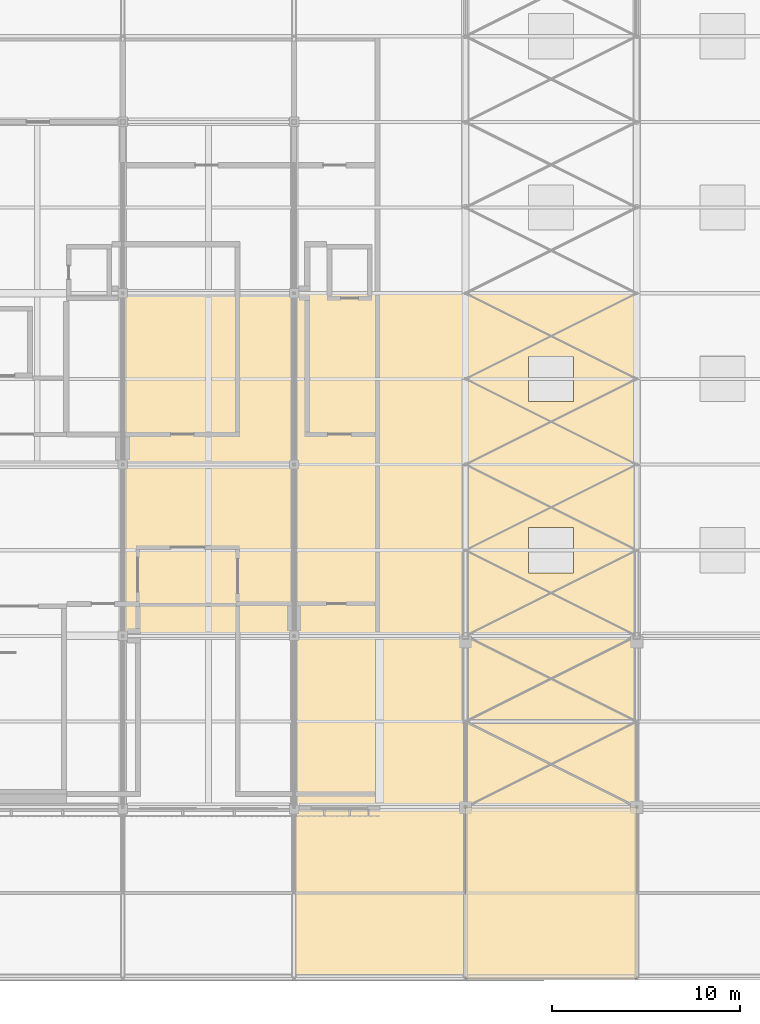
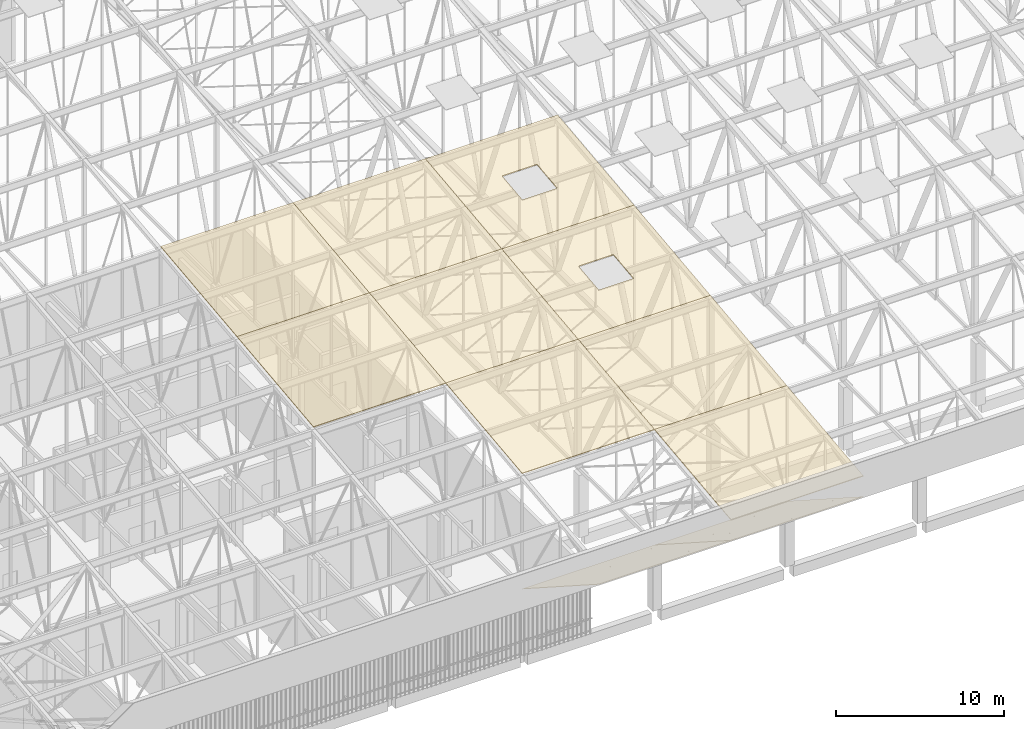
# One storey, part 461 of 500: 11 coverings.
"""IFC4 building model written with IfcOpenShell, lengths in metres."""

from ifc_helpers import new_model, si_unit, direction, frame, origin, place, context, subcontext, project, spatial, polyline, outline, extrude, material, layer, layer_set, type_object, element, save


model = new_model("IFC4")

# Units and contexts
model_context = context("Model", 3, precision=1e-05, world=origin(), true_north=direction((0.0, 1.0)))
body_context = subcontext(model_context, "Body", "Model", "MODEL_VIEW")
ifc_project = project(units=[si_unit("LENGTHUNIT", "METRE"), si_unit("AREAUNIT", "SQUARE_METRE"), si_unit("VOLUMEUNIT", "CUBIC_METRE"), si_unit("PLANEANGLEUNIT", "RADIAN"), si_unit("MASSUNIT", "GRAM", prefix="KILO")], contexts=[model_context])

# Site, building, storey
site_placement = place(None, origin())
site = spatial("IfcSite", under=ifc_project, at=site_placement, CompositionType="ELEMENT")
building_placement = place(site_placement, origin())
building = spatial("IfcBuilding", under=site, at=building_placement, Name="Shirokan Park Arena", CompositionType="ELEMENT")
storey_placement = place(building_placement, frame((0.0, 0.0, 29.1201171875)))
storey = spatial("IfcBuildingStorey", under=building, at=storey_placement, Name="L06", CompositionType="ELEMENT", Elevation=29.1201171875)

# Coverings
ifc_material_1 = material(Name="Bituminous roofing membrane")
ifc_layer_1 = layer(ifc_material_1, 0.010009765625, Name="Bituminous roofing membrane")
ifc_material_2 = material(Name="Mineral wool insulation")
ifc_layer_2 = layer(ifc_material_2, 0.050048828125, Name="Mineral wool insulation")
ifc_layer_set_1 = layer_set([ifc_layer_1, ifc_layer_2], Name="Bituminous roofing membrane + Mineral wool insulation")
covering_type_1 = type_object("IfcCoveringType", Name="Roofing membrane 60", PredefinedType="ROOFING", material=ifc_layer_set_1)
covering_1_placement = place(storey_placement, frame((27.300048828125, 9.10009765625, 13.970703125), z_axis=(0.0, -0.113552605302, 0.993531985308), x_axis=(1.0, 0.0, 0.0)))
element("IfcCovering", 1, at=covering_1_placement, inside=storey, type_object=covering_type_1, Name="Roofing", PredefinedType="ROOFING", context=body_context, shape_type="SweptSolid", body=[
    extrude(outline(polyline([(0.0, 0.0), (9.099853515625, 0.0), (9.099853515625, 9.159094674549365), (0.0, 9.159094674549365), (0.0, 0.0)])), origin(), (0.0, 0.0, -1.0), 0.06005859375),
])
covering_2_placement = place(storey_placement, frame((27.300048828125, 18.199951171875, 15.0107421875), z_axis=(0.0, -0.113549598152, 0.993532328996), x_axis=(1.0, 0.0, 0.0)))
element("IfcCovering", 2, at=covering_2_placement, inside=storey, type_object=covering_type_1, Name="Roofing", PredefinedType="ROOFING", context=body_context, shape_type="SweptSolid", body=[
    extrude(outline(polyline([(0.0, 0.0), (9.099853515625, 0.0), (9.099853515625, 9.15933723611117), (0.0, 9.15933723611117), (0.0, 0.0)])), origin(), (0.0, 0.0, -1.0), 0.06005859375),
])
covering_3_placement = place(storey_placement, frame((36.39990234375, 0.0, 12.9306640625), z_axis=(0.0, -0.113549598152, 0.993532328996), x_axis=(1.0, 0.0, 0.0)))
element("IfcCovering", 3, at=covering_3_placement, inside=storey, type_object=covering_type_1, Name="Roofing", PredefinedType="ROOFING", context=body_context, shape_type="SweptSolid", body=[
    extrude(outline(polyline([(0.0, 0.0), (9.10009765625, 0.0), (9.10009765625, 9.15933723611117), (0.0, 9.15933723611117), (0.0, 0.0)])), origin(), (0.0, 0.0, -1.0), 0.06005859375),
])
covering_4_placement = place(storey_placement, frame((36.39990234375, 9.10009765625, 13.970703125), z_axis=(0.0, -0.113552605302, 0.993531985308), x_axis=(1.0, 0.0, 0.0)))
element("IfcCovering", 4, at=covering_4_placement, inside=storey, type_object=covering_type_1, Name="Roofing", PredefinedType="ROOFING", context=body_context, shape_type="SweptSolid", body=[
    extrude(outline(polyline([(0.0, 0.0), (9.10009765625, 0.0), (9.10009765625, 9.159094674549367), (0.0, 9.159094674549367), (0.0, 0.0)])), origin(), (0.0, 0.0, -1.0), 0.06005859375),
])
for number, where, z_axis, x_axis, name in (
    (5, (36.39990234375, 18.199951171875, 15.0107421875), (0.0, -0.113549598152, 0.993532328996), (1.0, 0.0, 0.0), "Roofing"),
    (6, (45.5, -9.10009765625, 11.890625), (0.0, -0.113549598152, 0.993532328996), (1.0, 0.0, 0.0), "Roofing"),
    (7, (45.5, 0.0, 12.9306640625), (0.0, -0.113549598152, 0.993532328996), (1.0, 0.0, 0.0), "Roofing"),
):
    element("IfcCovering", number, at=place(storey_placement, frame(where, z_axis=z_axis, x_axis=x_axis)), inside=storey, type_object=covering_type_1, Name=name, PredefinedType="ROOFING", context=body_context, shape_type="SweptSolid", body=[
        extrude(outline(polyline([(0.0, 0.0), (9.10009765625, 0.0), (9.10009765625, 9.15933723611117), (0.0, 9.15933723611117), (0.0, 0.0)])), origin(), (0.0, 0.0, -1.0), 0.06005859375),
    ])
covering_5_placement = place(storey_placement, frame((45.5, 9.10009765625, 13.970703125), z_axis=(0.0, -0.113552605302, 0.993531985308), x_axis=(1.0, 0.0, 0.0)))
element("IfcCovering", 8, at=covering_5_placement, inside=storey, type_object=covering_type_1, Name="Roofing", PredefinedType="ROOFING", context=body_context, shape_type="SweptSolid", body=[
    extrude(outline(polyline([(0.0, 0.0), (9.10009765625, 0.0), (9.10009765625, 9.159094674549367), (0.0, 9.159094674549367), (0.0, 0.0)]), holes=[polyline([(5.75, 3.3716559705854974), (5.75, 5.78741098115984), (3.35009765625, 5.78741098115984), (3.35009765625, 3.3716559705854974), (5.75, 3.3716559705854974)])]), origin(), (0.0, 0.0, -1.0), 0.06005859375),
])
covering_6_placement = place(storey_placement, frame((45.5, 18.199951171875, 15.0107421875), z_axis=(0.0, -0.113549598152, 0.993532328996), x_axis=(1.0, 0.0, 0.0)))
element("IfcCovering", 9, at=covering_6_placement, inside=storey, type_object=covering_type_1, Name="Roofing", PredefinedType="ROOFING", context=body_context, shape_type="SweptSolid", body=[
    extrude(outline(polyline([(0.0, 0.0), (9.10009765625, 0.0), (9.10009765625, 9.15933723611117), (0.0, 9.15933723611117), (0.0, 0.0)]), holes=[polyline([(5.75, 3.3718985323194914), (5.75, 5.787410981721819), (3.35009765625, 5.787410981721819), (3.35009765625, 3.3718985323194914), (5.75, 3.3718985323194914)])]), origin(), (0.0, 0.0, -1.0), 0.06005859375),
])
ifc_material_3 = material(Name="Timber soffit boards (cedar)", Category="wood")
ifc_layer_3 = layer(ifc_material_3, 0.030029296875)
ifc_layer_set_2 = layer_set([ifc_layer_3], Name="Timber soffit boards (cedar) 30 mm")
covering_type_2 = type_object("IfcCoveringType", Name="Timber boarded soffit panel", PredefinedType="CLADDING", material=ifc_layer_set_2)
covering_7_placement = place(storey_placement, origin())
element("IfcCovering", 10, at=covering_7_placement, inside=storey, type_object=covering_type_2, Name="Eave soffit south bay 5", PredefinedType="CLADDING", context=body_context, shape_type="SweptSolid", body=[
    extrude(outline(polyline([(0.0, 0.0), (0.14269332184794056, 0.0), (0.14269332184794056, -9.100000000000003), (0.0, -9.100000000000003), (0.0, 0.0)])), frame((45.5, -8.97998046875, 10.3037109375), z_axis=(0.0, 0.541090493936, 0.840964373427), x_axis=(0.0, -0.840964373427, 0.541090493936)), (0.0, 0.0, -1.0), 0.030029296875),
    extrude(outline(polyline([(0.0, 0.0), (0.1426933218479412, 0.0), (0.1426933218479412, -9.100000000000001), (0.0, -9.100000000000001), (0.0, 0.0)])), frame((36.39990234375, -0.1201171875, 4.60302734375), z_axis=(0.0, 0.541090493936, 0.840964373427), x_axis=(0.0, 0.840964373427, -0.541090493936)), (0.0, 0.0, -1.0), 0.030029296875),
    extrude(outline(polyline([(0.0, 0.0), (0.11999999999999744, 0.0), (0.11999999999999744, -10.535473996759706), (0.0, -10.535473996759706), (0.0, 0.0)])), frame((45.5, -8.97998046875, 10.3037109375), z_axis=(0.0, 0.541084340558, 0.84096833258), x_axis=(-1.0, 0.0, 0.0)), (0.0, 0.0, -1.0), 0.030029296875),
    extrude(outline(polyline([(0.0, 0.0), (0.12000000000000455, 0.0), (0.12000000000000455, -10.535473996759707), (0.0, -10.535473996759707), (0.0, 0.0)])), frame((36.39990234375, -0.1201171875, 4.60302734375), z_axis=(0.0, 0.541084340558, 0.84096833258), x_axis=(1.0, 0.0, 0.0)), (0.0, 0.0, -1.0), 0.030029296875),
    extrude(outline(polyline([(0.0, 0.0), (10.535473996759707, 0.0), (10.535473996759707, -0.183329999999998), (0.0, -0.183329999999998), (0.0, 0.0)])), frame((36.52001953125, -8.97998046875, 10.3037109375), z_axis=(0.0, 0.541084340558, 0.84096833258), x_axis=(0.0, 0.84096833258, -0.541084340558)), (0.0, 0.0, -1.0), 0.030029296875),
    extrude(outline(polyline([(0.0, 0.0), (10.535473996759707, 0.0), (10.535473996759707, -0.3033399999999986), (0.0, -0.3033399999999986), (0.0, 0.0)])), frame((36.703369140625, -8.97998046875, 10.3037109375), z_axis=(0.0, 0.541084340558, 0.84096833258), x_axis=(0.0, 0.84096833258, -0.541084340558)), (0.0, 0.0, -1.0), 0.030029296875),
    extrude(outline(polyline([(0.0, 0.0), (10.535473996759707, 0.0), (10.535473996759707, -0.30333000000000254), (0.0, -0.30333000000000254), (0.0, 0.0)])), frame((37.006591796875, -8.97998046875, 10.3037109375), z_axis=(0.0, 0.541084340558, 0.84096833258), x_axis=(0.0, 0.84096833258, -0.541084340558)), (0.0, 0.0, -1.0), 0.030029296875),
    extrude(outline(polyline([(0.0, 0.0), (10.535473996759707, 0.0), (10.535473996759707, -0.30332999999999544), (0.0, -0.30332999999999544), (0.0, 0.0)])), frame((37.31005859375, -8.97998046875, 10.3037109375), z_axis=(0.0, 0.541084340558, 0.84096833258), x_axis=(0.0, 0.84096833258, -0.541084340558)), (0.0, 0.0, -1.0), 0.030029296875),
    extrude(outline(polyline([(0.0, 0.0), (10.535473996759707, 0.0), (10.535473996759707, -0.3033400000000057), (0.0, -0.3033400000000057), (0.0, 0.0)])), frame((37.61328125, -8.97998046875, 10.3037109375), z_axis=(0.0, 0.541084340558, 0.84096833258), x_axis=(0.0, 0.84096833258, -0.541084340558)), (0.0, 0.0, -1.0), 0.030029296875),
    extrude(outline(polyline([(0.0, 0.0), (10.535473996759707, 0.0), (10.535473996759707, -0.30332999999999544), (0.0, -0.30332999999999544), (0.0, 0.0)])), frame((37.916748046875, -8.97998046875, 10.3037109375), z_axis=(0.0, 0.541084340558, 0.84096833258), x_axis=(0.0, 0.84096833258, -0.541084340558)), (0.0, 0.0, -1.0), 0.030029296875),
    extrude(outline(polyline([(0.0, 0.0), (10.535473996759707, 0.0), (10.535473996759707, -0.30333000000000254), (0.0, -0.30333000000000254), (0.0, 0.0)])), frame((38.219970703125, -8.97998046875, 10.3037109375), z_axis=(0.0, 0.541084340558, 0.84096833258), x_axis=(0.0, 0.84096833258, -0.541084340558)), (0.0, 0.0, -1.0), 0.030029296875),
    extrude(outline(polyline([(0.0, 0.0), (10.535473996759707, 0.0), (10.535473996759707, -0.3033399999999986), (0.0, -0.3033399999999986), (0.0, 0.0)])), frame((38.5234375, -8.97998046875, 10.3037109375), z_axis=(0.0, 0.541084340558, 0.84096833258), x_axis=(0.0, 0.84096833258, -0.541084340558)), (0.0, 0.0, -1.0), 0.030029296875),
    extrude(outline(polyline([(0.0, 0.0), (10.535473996759707, 0.0), (10.535473996759707, -0.30333000000000254), (0.0, -0.30333000000000254), (0.0, 0.0)])), frame((38.82666015625, -8.97998046875, 10.3037109375), z_axis=(0.0, 0.541084340558, 0.84096833258), x_axis=(0.0, 0.84096833258, -0.541084340558)), (0.0, 0.0, -1.0), 0.030029296875),
    extrude(outline(polyline([(0.0, 0.0), (10.535473996759707, 0.0), (10.535473996759707, -0.30332999999999544), (0.0, -0.30332999999999544), (0.0, 0.0)])), frame((39.1298828125, -8.97998046875, 10.3037109375), z_axis=(0.0, 0.541084340558, 0.84096833258), x_axis=(0.0, 0.84096833258, -0.541084340558)), (0.0, 0.0, -1.0), 0.030029296875),
    extrude(outline(polyline([(0.0, 0.0), (10.535473996759707, 0.0), (10.535473996759707, -0.3033399999999986), (0.0, -0.3033399999999986), (0.0, 0.0)])), frame((39.433349609375, -8.97998046875, 10.3037109375), z_axis=(0.0, 0.541084340558, 0.84096833258), x_axis=(0.0, 0.84096833258, -0.541084340558)), (0.0, 0.0, -1.0), 0.030029296875),
    extrude(outline(polyline([(0.0, 0.0), (10.535473996759707, 0.0), (10.535473996759707, -0.30333000000000254), (0.0, -0.30333000000000254), (0.0, 0.0)])), frame((39.736572265625, -8.97998046875, 10.3037109375), z_axis=(0.0, 0.541084340558, 0.84096833258), x_axis=(0.0, 0.84096833258, -0.541084340558)), (0.0, 0.0, -1.0), 0.030029296875),
    extrude(outline(polyline([(0.0, 0.0), (10.535473996759707, 0.0), (10.535473996759707, -0.30333000000000254), (0.0, -0.30333000000000254), (0.0, 0.0)])), frame((40.0400390625, -8.97998046875, 10.3037109375), z_axis=(0.0, 0.541084340558, 0.84096833258), x_axis=(0.0, 0.84096833258, -0.541084340558)), (0.0, 0.0, -1.0), 0.030029296875),
    extrude(outline(polyline([(0.0, 0.0), (10.535473996759707, 0.0), (10.535473996759707, -0.3033399999999986), (0.0, -0.3033399999999986), (0.0, 0.0)])), frame((40.34326171875, -8.97998046875, 10.3037109375), z_axis=(0.0, 0.541084340558, 0.84096833258), x_axis=(0.0, 0.84096833258, -0.541084340558)), (0.0, 0.0, -1.0), 0.030029296875),
    extrude(outline(polyline([(0.0, 0.0), (10.535473996759707, 0.0), (10.535473996759707, -0.30333000000000254), (0.0, -0.30333000000000254), (0.0, 0.0)])), frame((40.646728515625, -8.97998046875, 10.3037109375), z_axis=(0.0, 0.541084340558, 0.84096833258), x_axis=(0.0, 0.84096833258, -0.541084340558)), (0.0, 0.0, -1.0), 0.030029296875),
    extrude(outline(polyline([(0.0, 0.0), (10.535473996759707, 0.0), (10.535473996759707, -0.30332999999999544), (0.0, -0.30332999999999544), (0.0, 0.0)])), frame((40.949951171875, -8.97998046875, 10.3037109375), z_axis=(0.0, 0.541084340558, 0.84096833258), x_axis=(0.0, 0.84096833258, -0.541084340558)), (0.0, 0.0, -1.0), 0.030029296875),
    extrude(outline(polyline([(0.0, 0.0), (10.535473996759707, 0.0), (10.535473996759707, -0.3033399999999986), (0.0, -0.3033399999999986), (0.0, 0.0)])), frame((41.25341796875, -8.97998046875, 10.3037109375), z_axis=(0.0, 0.541084340558, 0.84096833258), x_axis=(0.0, 0.84096833258, -0.541084340558)), (0.0, 0.0, -1.0), 0.030029296875),
    extrude(outline(polyline([(0.0, 0.0), (10.535473996759707, 0.0), (10.535473996759707, -0.30333000000000254), (0.0, -0.30333000000000254), (0.0, 0.0)])), frame((41.556640625, -8.97998046875, 10.3037109375), z_axis=(0.0, 0.541084340558, 0.84096833258), x_axis=(0.0, 0.84096833258, -0.541084340558)), (0.0, 0.0, -1.0), 0.030029296875),
    extrude(outline(polyline([(0.0, 0.0), (10.535473996759707, 0.0), (10.535473996759707, -0.30333000000000254), (0.0, -0.30333000000000254), (0.0, 0.0)])), frame((41.860107421875, -8.97998046875, 10.3037109375), z_axis=(0.0, 0.541084340558, 0.84096833258), x_axis=(0.0, 0.84096833258, -0.541084340558)), (0.0, 0.0, -1.0), 0.030029296875),
    extrude(outline(polyline([(0.0, 0.0), (10.535473996759707, 0.0), (10.535473996759707, -0.3033399999999986), (0.0, -0.3033399999999986), (0.0, 0.0)])), frame((42.163330078125, -8.97998046875, 10.3037109375), z_axis=(0.0, 0.541084340558, 0.84096833258), x_axis=(0.0, 0.84096833258, -0.541084340558)), (0.0, 0.0, -1.0), 0.030029296875),
    extrude(outline(polyline([(0.0, 0.0), (10.535473996759707, 0.0), (10.535473996759707, -0.30333000000000254), (0.0, -0.30333000000000254), (0.0, 0.0)])), frame((42.466552734375, -8.97998046875, 10.3037109375), z_axis=(0.0, 0.541084340558, 0.84096833258), x_axis=(0.0, 0.84096833258, -0.541084340558)), (0.0, 0.0, -1.0), 0.030029296875),
    extrude(outline(polyline([(0.0, 0.0), (10.535473996759707, 0.0), (10.535473996759707, -0.30332999999999544), (0.0, -0.30332999999999544), (0.0, 0.0)])), frame((42.77001953125, -8.97998046875, 10.3037109375), z_axis=(0.0, 0.541084340558, 0.84096833258), x_axis=(0.0, 0.84096833258, -0.541084340558)), (0.0, 0.0, -1.0), 0.030029296875),
    extrude(outline(polyline([(0.0, 0.0), (10.535473996759707, 0.0), (10.535473996759707, -0.3033399999999986), (0.0, -0.3033399999999986), (0.0, 0.0)])), frame((43.0732421875, -8.97998046875, 10.3037109375), z_axis=(0.0, 0.541084340558, 0.84096833258), x_axis=(0.0, 0.84096833258, -0.541084340558)), (0.0, 0.0, -1.0), 0.030029296875),
    extrude(outline(polyline([(0.0, 0.0), (10.535473996759707, 0.0), (10.535473996759707, -0.30333000000000254), (0.0, -0.30333000000000254), (0.0, 0.0)])), frame((43.376708984375, -8.97998046875, 10.3037109375), z_axis=(0.0, 0.541084340558, 0.84096833258), x_axis=(0.0, 0.84096833258, -0.541084340558)), (0.0, 0.0, -1.0), 0.030029296875),
    extrude(outline(polyline([(0.0, 0.0), (10.535473996759707, 0.0), (10.535473996759707, -0.30333000000000254), (0.0, -0.30333000000000254), (0.0, 0.0)])), frame((43.679931640625, -8.97998046875, 10.3037109375), z_axis=(0.0, 0.541084340558, 0.84096833258), x_axis=(0.0, 0.84096833258, -0.541084340558)), (0.0, 0.0, -1.0), 0.030029296875),
    extrude(outline(polyline([(0.0, 0.0), (10.535473996759707, 0.0), (10.535473996759707, -0.3033399999999986), (0.0, -0.3033399999999986), (0.0, 0.0)])), frame((43.9833984375, -8.97998046875, 10.3037109375), z_axis=(0.0, 0.541084340558, 0.84096833258), x_axis=(0.0, 0.84096833258, -0.541084340558)), (0.0, 0.0, -1.0), 0.030029296875),
    extrude(outline(polyline([(0.0, 0.0), (10.535473996759707, 0.0), (10.535473996759707, -0.30333000000000254), (0.0, -0.30333000000000254), (0.0, 0.0)])), frame((44.28662109375, -8.97998046875, 10.3037109375), z_axis=(0.0, 0.541084340558, 0.84096833258), x_axis=(0.0, 0.84096833258, -0.541084340558)), (0.0, 0.0, -1.0), 0.030029296875),
    extrude(outline(polyline([(0.0, 0.0), (10.535473996759707, 0.0), (10.535473996759707, -0.30332999999999544), (0.0, -0.30332999999999544), (0.0, 0.0)])), frame((44.590087890625, -8.97998046875, 10.3037109375), z_axis=(0.0, 0.541084340558, 0.84096833258), x_axis=(0.0, 0.84096833258, -0.541084340558)), (0.0, 0.0, -1.0), 0.030029296875),
    extrude(outline(polyline([(0.0, 0.0), (10.535473996759707, 0.0), (10.535473996759707, -0.3033399999999986), (0.0, -0.3033399999999986), (0.0, 0.0)])), frame((44.893310546875, -8.97998046875, 10.3037109375), z_axis=(0.0, 0.541084340558, 0.84096833258), x_axis=(0.0, 0.84096833258, -0.541084340558)), (0.0, 0.0, -1.0), 0.030029296875),
    extrude(outline(polyline([(0.0, 0.0), (0.1833300000000051, 0.0), (0.1833300000000051, -10.535473996759709), (0.0, -10.535473996759709), (0.0, 0.0)])), frame((45.3798828125, -8.97998046875, 10.3037109375), z_axis=(0.0, 0.541084340558, 0.84096833258), x_axis=(-1.0, 0.0, 0.0)), (0.0, 0.0, -1.0), 0.030029296875),
])
covering_8_placement = place(storey_placement, origin())
element("IfcCovering", 11, at=covering_8_placement, inside=storey, type_object=covering_type_2, Name="Eave soffit south bay 6", PredefinedType="CLADDING", context=body_context, shape_type="SweptSolid", body=[
    extrude(outline(polyline([(0.0, 0.0), (0.14269332184794056, 0.0), (0.14269332184794056, -9.100000000000003), (0.0, -9.100000000000003), (0.0, 0.0)])), frame((54.60009765625, -8.97998046875, 10.3037109375), z_axis=(0.0, 0.541090493936, 0.840964373427), x_axis=(0.0, -0.840964373427, 0.541090493936)), (0.0, 0.0, -1.0), 0.030029296875),
    extrude(outline(polyline([(0.0, 0.0), (0.1426933218479412, 0.0), (0.1426933218479412, -9.100000000000001), (0.0, -9.100000000000001), (0.0, 0.0)])), frame((45.5, -0.1201171875, 4.60302734375), z_axis=(0.0, 0.541090493936, 0.840964373427), x_axis=(0.0, 0.840964373427, -0.541090493936)), (0.0, 0.0, -1.0), 0.030029296875),
    extrude(outline(polyline([(0.0, 0.0), (0.12000000000000455, 0.0), (0.12000000000000455, -10.535473996759707), (0.0, -10.535473996759707), (0.0, 0.0)])), frame((54.60009765625, -8.97998046875, 10.3037109375), z_axis=(0.0, 0.541084340558, 0.84096833258), x_axis=(-1.0, 0.0, 0.0)), (0.0, 0.0, -1.0), 0.030029296875),
    extrude(outline(polyline([(0.0, 0.0), (0.11999999999999744, 0.0), (0.11999999999999744, -10.535473996759706), (0.0, -10.535473996759706), (0.0, 0.0)])), frame((45.5, -0.1201171875, 4.60302734375), z_axis=(0.0, 0.541084340558, 0.84096833258), x_axis=(1.0, 0.0, 0.0)), (0.0, 0.0, -1.0), 0.030029296875),
    extrude(outline(polyline([(0.0, 0.0), (10.535473996759707, 0.0), (10.535473996759707, -0.1833300000000051), (0.0, -0.1833300000000051), (0.0, 0.0)])), frame((45.6201171875, -8.97998046875, 10.3037109375), z_axis=(0.0, 0.541084340558, 0.84096833258), x_axis=(0.0, 0.84096833258, -0.541084340558)), (0.0, 0.0, -1.0), 0.030029296875),
    extrude(outline(polyline([(0.0, 0.0), (10.535473996759707, 0.0), (10.535473996759707, -0.3033399999999986), (0.0, -0.3033399999999986), (0.0, 0.0)])), frame((45.80322265625, -8.97998046875, 10.3037109375), z_axis=(0.0, 0.541084340558, 0.84096833258), x_axis=(0.0, 0.84096833258, -0.541084340558)), (0.0, 0.0, -1.0), 0.030029296875),
    extrude(outline(polyline([(0.0, 0.0), (10.535473996759707, 0.0), (10.535473996759707, -0.30332999999999544), (0.0, -0.30332999999999544), (0.0, 0.0)])), frame((46.106689453125, -8.97998046875, 10.3037109375), z_axis=(0.0, 0.541084340558, 0.84096833258), x_axis=(0.0, 0.84096833258, -0.541084340558)), (0.0, 0.0, -1.0), 0.030029296875),
    extrude(outline(polyline([(0.0, 0.0), (10.535473996759707, 0.0), (10.535473996759707, -0.30333000000000254), (0.0, -0.30333000000000254), (0.0, 0.0)])), frame((46.409912109375, -8.97998046875, 10.3037109375), z_axis=(0.0, 0.541084340558, 0.84096833258), x_axis=(0.0, 0.84096833258, -0.541084340558)), (0.0, 0.0, -1.0), 0.030029296875),
    extrude(outline(polyline([(0.0, 0.0), (10.535473996759707, 0.0), (10.535473996759707, -0.3033399999999986), (0.0, -0.3033399999999986), (0.0, 0.0)])), frame((46.71337890625, -8.97998046875, 10.3037109375), z_axis=(0.0, 0.541084340558, 0.84096833258), x_axis=(0.0, 0.84096833258, -0.541084340558)), (0.0, 0.0, -1.0), 0.030029296875),
    extrude(outline(polyline([(0.0, 0.0), (10.535473996759707, 0.0), (10.535473996759707, -0.30333000000000254), (0.0, -0.30333000000000254), (0.0, 0.0)])), frame((47.0166015625, -8.97998046875, 10.3037109375), z_axis=(0.0, 0.541084340558, 0.84096833258), x_axis=(0.0, 0.84096833258, -0.541084340558)), (0.0, 0.0, -1.0), 0.030029296875),
    extrude(outline(polyline([(0.0, 0.0), (10.535473996759709, 0.0), (10.535473996759709, -0.30333000000000254), (0.0, -0.30333000000000254), (0.0, 0.0)])), frame((47.320068359375, -8.97998046875, 10.3037109375), z_axis=(0.0, 0.541084340558, 0.84096833258), x_axis=(0.0, 0.84096833258, -0.541084340558)), (0.0, 0.0, -1.0), 0.030029296875),
    extrude(outline(polyline([(0.0, 0.0), (10.535473996759707, 0.0), (10.535473996759707, -0.3033399999999986), (0.0, -0.3033399999999986), (0.0, 0.0)])), frame((47.623291015625, -8.97998046875, 10.3037109375), z_axis=(0.0, 0.541084340558, 0.84096833258), x_axis=(0.0, 0.84096833258, -0.541084340558)), (0.0, 0.0, -1.0), 0.030029296875),
    extrude(outline(polyline([(0.0, 0.0), (10.535473996759707, 0.0), (10.535473996759707, -0.30332999999999544), (0.0, -0.30332999999999544), (0.0, 0.0)])), frame((47.9267578125, -8.97998046875, 10.3037109375), z_axis=(0.0, 0.541084340558, 0.84096833258), x_axis=(0.0, 0.84096833258, -0.541084340558)), (0.0, 0.0, -1.0), 0.030029296875),
    extrude(outline(polyline([(0.0, 0.0), (10.535473996759707, 0.0), (10.535473996759707, -0.30333000000000254), (0.0, -0.30333000000000254), (0.0, 0.0)])), frame((48.22998046875, -8.97998046875, 10.3037109375), z_axis=(0.0, 0.541084340558, 0.84096833258), x_axis=(0.0, 0.84096833258, -0.541084340558)), (0.0, 0.0, -1.0), 0.030029296875),
    extrude(outline(polyline([(0.0, 0.0), (10.535473996759707, 0.0), (10.535473996759707, -0.3033399999999986), (0.0, -0.3033399999999986), (0.0, 0.0)])), frame((48.533447265625, -8.97998046875, 10.3037109375), z_axis=(0.0, 0.541084340558, 0.84096833258), x_axis=(0.0, 0.84096833258, -0.541084340558)), (0.0, 0.0, -1.0), 0.030029296875),
    extrude(outline(polyline([(0.0, 0.0), (10.535473996759707, 0.0), (10.535473996759707, -0.30333000000000254), (0.0, -0.30333000000000254), (0.0, 0.0)])), frame((48.836669921875, -8.97998046875, 10.3037109375), z_axis=(0.0, 0.541084340558, 0.84096833258), x_axis=(0.0, 0.84096833258, -0.541084340558)), (0.0, 0.0, -1.0), 0.030029296875),
    extrude(outline(polyline([(0.0, 0.0), (10.535473996759709, 0.0), (10.535473996759709, -0.30333000000000254), (0.0, -0.30333000000000254), (0.0, 0.0)])), frame((49.139892578125, -8.97998046875, 10.3037109375), z_axis=(0.0, 0.541084340558, 0.84096833258), x_axis=(0.0, 0.84096833258, -0.541084340558)), (0.0, 0.0, -1.0), 0.030029296875),
    extrude(outline(polyline([(0.0, 0.0), (10.535473996759707, 0.0), (10.535473996759707, -0.3033399999999986), (0.0, -0.3033399999999986), (0.0, 0.0)])), frame((49.443359375, -8.97998046875, 10.3037109375), z_axis=(0.0, 0.541084340558, 0.84096833258), x_axis=(0.0, 0.84096833258, -0.541084340558)), (0.0, 0.0, -1.0), 0.030029296875),
    extrude(outline(polyline([(0.0, 0.0), (10.535473996759707, 0.0), (10.535473996759707, -0.30332999999999544), (0.0, -0.30332999999999544), (0.0, 0.0)])), frame((49.74658203125, -8.97998046875, 10.3037109375), z_axis=(0.0, 0.541084340558, 0.84096833258), x_axis=(0.0, 0.84096833258, -0.541084340558)), (0.0, 0.0, -1.0), 0.030029296875),
    extrude(outline(polyline([(0.0, 0.0), (10.535473996759707, 0.0), (10.535473996759707, -0.30333000000000254), (0.0, -0.30333000000000254), (0.0, 0.0)])), frame((50.050048828125, -8.97998046875, 10.3037109375), z_axis=(0.0, 0.541084340558, 0.84096833258), x_axis=(0.0, 0.84096833258, -0.541084340558)), (0.0, 0.0, -1.0), 0.030029296875),
    extrude(outline(polyline([(0.0, 0.0), (10.535473996759707, 0.0), (10.535473996759707, -0.3033399999999986), (0.0, -0.3033399999999986), (0.0, 0.0)])), frame((50.353271484375, -8.97998046875, 10.3037109375), z_axis=(0.0, 0.541084340558, 0.84096833258), x_axis=(0.0, 0.84096833258, -0.541084340558)), (0.0, 0.0, -1.0), 0.030029296875),
    extrude(outline(polyline([(0.0, 0.0), (10.535473996759707, 0.0), (10.535473996759707, -0.30333000000000254), (0.0, -0.30333000000000254), (0.0, 0.0)])), frame((50.65673828125, -8.97998046875, 10.3037109375), z_axis=(0.0, 0.541084340558, 0.84096833258), x_axis=(0.0, 0.84096833258, -0.541084340558)), (0.0, 0.0, -1.0), 0.030029296875),
    extrude(outline(polyline([(0.0, 0.0), (10.535473996759709, 0.0), (10.535473996759709, -0.30333000000000254), (0.0, -0.30333000000000254), (0.0, 0.0)])), frame((50.9599609375, -8.97998046875, 10.3037109375), z_axis=(0.0, 0.541084340558, 0.84096833258), x_axis=(0.0, 0.84096833258, -0.541084340558)), (0.0, 0.0, -1.0), 0.030029296875),
    extrude(outline(polyline([(0.0, 0.0), (10.535473996759707, 0.0), (10.535473996759707, -0.3033399999999986), (0.0, -0.3033399999999986), (0.0, 0.0)])), frame((51.263427734375, -8.97998046875, 10.3037109375), z_axis=(0.0, 0.541084340558, 0.84096833258), x_axis=(0.0, 0.84096833258, -0.541084340558)), (0.0, 0.0, -1.0), 0.030029296875),
    extrude(outline(polyline([(0.0, 0.0), (10.535473996759707, 0.0), (10.535473996759707, -0.30332999999999544), (0.0, -0.30332999999999544), (0.0, 0.0)])), frame((51.566650390625, -8.97998046875, 10.3037109375), z_axis=(0.0, 0.541084340558, 0.84096833258), x_axis=(0.0, 0.84096833258, -0.541084340558)), (0.0, 0.0, -1.0), 0.030029296875),
    extrude(outline(polyline([(0.0, 0.0), (10.535473996759707, 0.0), (10.535473996759707, -0.30333000000000254), (0.0, -0.30333000000000254), (0.0, 0.0)])), frame((51.8701171875, -8.97998046875, 10.3037109375), z_axis=(0.0, 0.541084340558, 0.84096833258), x_axis=(0.0, 0.84096833258, -0.541084340558)), (0.0, 0.0, -1.0), 0.030029296875),
    extrude(outline(polyline([(0.0, 0.0), (10.535473996759707, 0.0), (10.535473996759707, -0.3033399999999986), (0.0, -0.3033399999999986), (0.0, 0.0)])), frame((52.17333984375, -8.97998046875, 10.3037109375), z_axis=(0.0, 0.541084340558, 0.84096833258), x_axis=(0.0, 0.84096833258, -0.541084340558)), (0.0, 0.0, -1.0), 0.030029296875),
    extrude(outline(polyline([(0.0, 0.0), (10.535473996759707, 0.0), (10.535473996759707, -0.30333000000000254), (0.0, -0.30333000000000254), (0.0, 0.0)])), frame((52.4765625, -8.97998046875, 10.3037109375), z_axis=(0.0, 0.541084340558, 0.84096833258), x_axis=(0.0, 0.84096833258, -0.541084340558)), (0.0, 0.0, -1.0), 0.030029296875),
    extrude(outline(polyline([(0.0, 0.0), (10.535473996759707, 0.0), (10.535473996759707, -0.30332999999999544), (0.0, -0.30332999999999544), (0.0, 0.0)])), frame((52.780029296875, -8.97998046875, 10.3037109375), z_axis=(0.0, 0.541084340558, 0.84096833258), x_axis=(0.0, 0.84096833258, -0.541084340558)), (0.0, 0.0, -1.0), 0.030029296875),
    extrude(outline(polyline([(0.0, 0.0), (10.535473996759707, 0.0), (10.535473996759707, -0.3033400000000057), (0.0, -0.3033400000000057), (0.0, 0.0)])), frame((53.083251953125, -8.97998046875, 10.3037109375), z_axis=(0.0, 0.541084340558, 0.84096833258), x_axis=(0.0, 0.84096833258, -0.541084340558)), (0.0, 0.0, -1.0), 0.030029296875),
    extrude(outline(polyline([(0.0, 0.0), (10.535473996759707, 0.0), (10.535473996759707, -0.30332999999999544), (0.0, -0.30332999999999544), (0.0, 0.0)])), frame((53.38671875, -8.97998046875, 10.3037109375), z_axis=(0.0, 0.541084340558, 0.84096833258), x_axis=(0.0, 0.84096833258, -0.541084340558)), (0.0, 0.0, -1.0), 0.030029296875),
    extrude(outline(polyline([(0.0, 0.0), (10.535473996759707, 0.0), (10.535473996759707, -0.30333000000000254), (0.0, -0.30333000000000254), (0.0, 0.0)])), frame((53.68994140625, -8.97998046875, 10.3037109375), z_axis=(0.0, 0.541084340558, 0.84096833258), x_axis=(0.0, 0.84096833258, -0.541084340558)), (0.0, 0.0, -1.0), 0.030029296875),
    extrude(outline(polyline([(0.0, 0.0), (10.535473996759707, 0.0), (10.535473996759707, -0.3033399999999986), (0.0, -0.3033399999999986), (0.0, 0.0)])), frame((53.993408203125, -8.97998046875, 10.3037109375), z_axis=(0.0, 0.541084340558, 0.84096833258), x_axis=(0.0, 0.84096833258, -0.541084340558)), (0.0, 0.0, -1.0), 0.030029296875),
    extrude(outline(polyline([(0.0, 0.0), (0.183329999999998, 0.0), (0.183329999999998, -10.535473996759709), (0.0, -10.535473996759709), (0.0, 0.0)])), frame((54.47998046875, -8.97998046875, 10.3037109375), z_axis=(0.0, 0.541084340558, 0.84096833258), x_axis=(-1.0, 0.0, 0.0)), (0.0, 0.0, -1.0), 0.030029296875),
])

save(model, "model.ifc")
